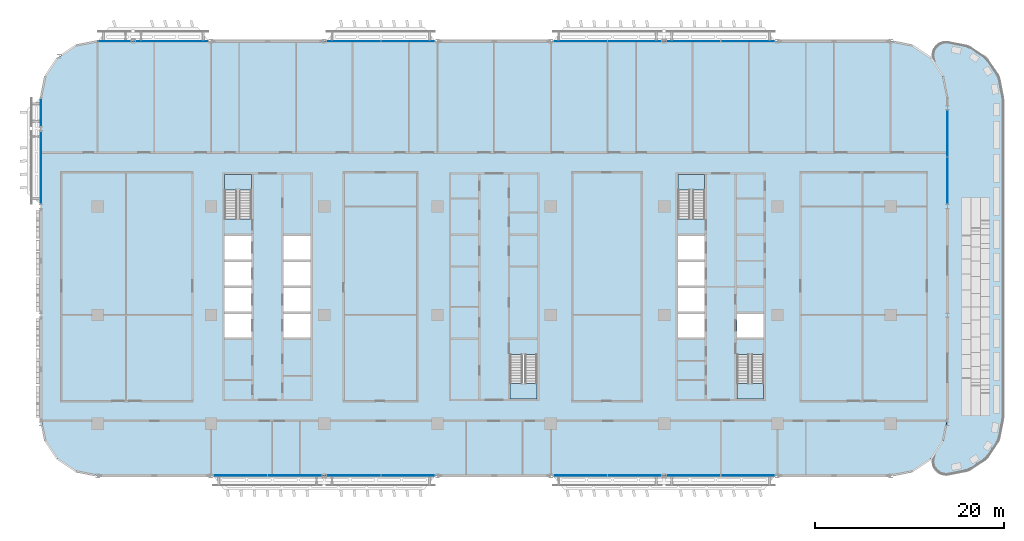
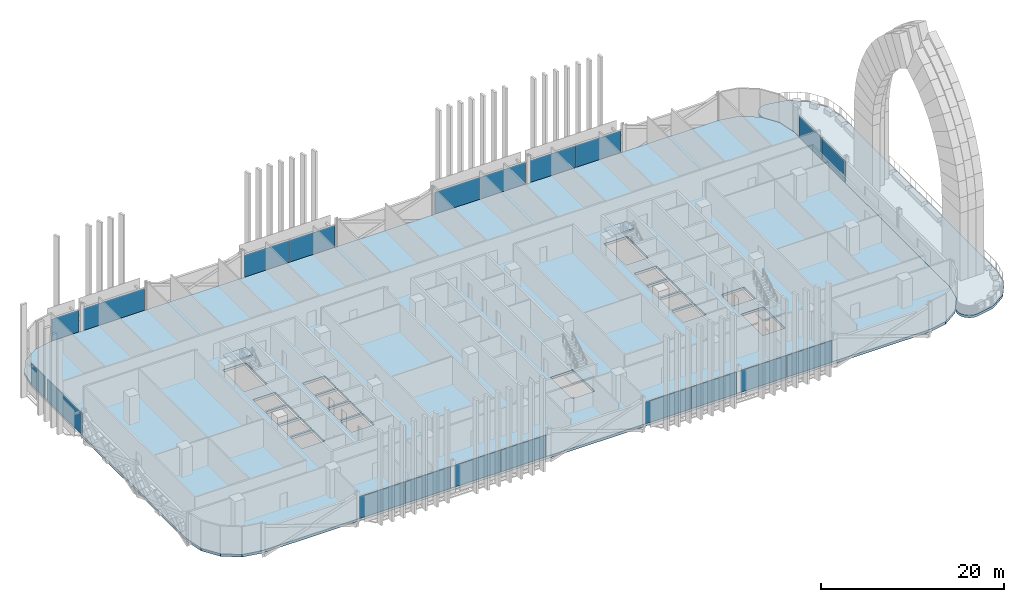
# One storey, part 9 of 33: 20 plates, 6 slabs, 16 elements without a shape of their own.
"""IFC4 building model written with IfcOpenShell, lengths in metres."""

from ifc_helpers import new_model, si_unit, direction, frame, origin, origin_2d, place, context, subcontext, project, spatial, polyline, rectangle, outline, extrude, material, layer, layer_set, type_object, element, aggregate, save


model = new_model("IFC4")

# Units and contexts
model_context = context("Model", 3, precision=1e-05, world=origin(), true_north=direction((0.0, 1.0)))
body_context = subcontext(model_context, "Body", "Model", "MODEL_VIEW")
ifc_project = project(units=[si_unit("LENGTHUNIT", "METRE"), si_unit("AREAUNIT", "SQUARE_METRE"), si_unit("VOLUMEUNIT", "CUBIC_METRE"), si_unit("PLANEANGLEUNIT", "RADIAN"), si_unit("MASSUNIT", "GRAM", prefix="KILO")], contexts=[model_context])

# Site, building, storey
site_placement = place(None, origin())
site = spatial("IfcSite", under=ifc_project, at=site_placement, CompositionType="ELEMENT")
building_placement = place(site_placement, origin())
building = spatial("IfcBuilding", under=site, at=building_placement, Name="Mahtab Terrace Research Tower", CompositionType="ELEMENT")
storey_placement = place(building_placement, frame((0.0, 0.0, 122.0)))
storey = spatial("IfcBuildingStorey", under=building, at=storey_placement, Name="L28", CompositionType="ELEMENT", Elevation=122.0)

# Stair, slab
ifc_material_1 = material(Name="Exit stair half-turn")
stair_type = type_object("IfcStairType", Name="Exit stair half-turn", PredefinedType="HALF_TURN_STAIR", material=ifc_material_1)
stair_1_placement = place(storey_placement, origin())
stair_1 = element("IfcStair", 1, at=stair_1_placement, inside=storey, type_object=stair_type, Name="L28 Protected exit stair ST1", PredefinedType="HALF_TURN_STAIR")
ifc_material_2 = material(Name="Concrete C40/50", Category="concrete")
ifc_layer_1 = layer(ifc_material_2, 0.199951171875)
ifc_layer_set_1 = layer_set([ifc_layer_1], Name="Exit stair landing 200")
slab_type_1 = type_object("IfcSlabType", Name="Exit stair landing 200", PredefinedType="LANDING", material=ifc_layer_set_1)
slab_1_placement = place(storey_placement, frame((0.0, 0.0, 1.85009765625)))
slab_1 = element("IfcSlab", 2, at=slab_1_placement, type_object=slab_type_1, Name="ST1 landing 1", PredefinedType="LANDING", context=body_context, shape_type="SweptSolid", body=[
    extrude(outline(polyline([(-25.699951171875, 13.2548828125), (-25.699951171875, 14.875), (-28.550048828125, 14.875), (-28.550048828125, 13.2548828125), (-25.699951171875, 13.2548828125)])), origin(), (0.0, 0.0, 1.0), 0.199951171875),
])
aggregate(stair_1, [slab_1])

stair_2_placement = place(storey_placement, origin())
stair_2 = element("IfcStair", 3, at=stair_2_placement, inside=storey, type_object=stair_type, Name="L28 Protected exit stair ST2", PredefinedType="HALF_TURN_STAIR")
slab_2_placement = place(storey_placement, frame((0.0, 0.0, 1.85009765625)))
slab_2 = element("IfcSlab", 4, at=slab_2_placement, type_object=slab_type_1, Name="ST2 landing 1", PredefinedType="LANDING", context=body_context, shape_type="SweptSolid", body=[
    extrude(outline(polyline([(1.699951171875, -7.2548828125), (1.699951171875, -8.875), (4.550048828125, -8.875), (4.550048828125, -7.2548828125), (1.699951171875, -7.2548828125)])), origin(), (0.0, 0.0, 1.0), 0.199951171875),
])
aggregate(stair_2, [slab_2])

stair_3_placement = place(storey_placement, origin())
stair_3 = element("IfcStair", 5, at=stair_3_placement, inside=storey, type_object=stair_type, Name="L28 Protected exit stair ST3", PredefinedType="HALF_TURN_STAIR")
slab_3_placement = place(storey_placement, frame((0.0, 0.0, 1.85009765625)))
slab_3 = element("IfcSlab", 6, at=slab_3_placement, type_object=slab_type_1, Name="ST3 landing 1", PredefinedType="LANDING", context=body_context, shape_type="SweptSolid", body=[
    extrude(outline(polyline([(22.300048828125, 13.2548828125), (22.300048828125, 14.875), (19.449951171875, 14.875), (19.449951171875, 13.2548828125), (22.300048828125, 13.2548828125)])), origin(), (0.0, 0.0, 1.0), 0.199951171875),
])
aggregate(stair_3, [slab_3])

stair_4_placement = place(storey_placement, origin())
stair_4 = element("IfcStair", 7, at=stair_4_placement, inside=storey, type_object=stair_type, Name="L28 Protected exit stair ST4", PredefinedType="HALF_TURN_STAIR")
slab_4_placement = place(storey_placement, frame((0.0, 0.0, 1.85009765625)))
slab_4 = element("IfcSlab", 8, at=slab_4_placement, type_object=slab_type_1, Name="ST4 landing 1", PredefinedType="LANDING", context=body_context, shape_type="SweptSolid", body=[
    extrude(outline(polyline([(25.699951171875, -7.2548828125), (25.699951171875, -8.875), (28.550048828125, -8.875), (28.550048828125, -7.2548828125), (25.699951171875, -7.2548828125)])), origin(), (0.0, 0.0, 1.0), 0.199951171875),
])
aggregate(stair_4, [slab_4])

# Slabs
ifc_layer_2 = layer(ifc_material_2, 0.340087890625)
ifc_layer_set_2 = layer_set([ifc_layer_2], Name="PT flat slab 340")
slab_type_2 = type_object("IfcSlabType", Name="PT flat slab 340", PredefinedType="FLOOR", material=ifc_layer_set_2)
slab_5_placement = place(storey_placement, frame((0.0, 0.0, -0.340087890625)))
element("IfcSlab", 9, at=slab_5_placement, inside=storey, type_object=slab_type_2, Name="Floor slab L28", PredefinedType="FLOOR", context=body_context, shape_type="SweptSolid", body=[
    extrude(outline(polyline([(47.54296875, 25.2958984375), (46.242919921875, 27.242919921875), (44.2958984375, 28.54296875), (42.0, 29.0), (-42.0, 29.0), (-44.2958984375, 28.54296875), (-46.242919921875, 27.242919921875), (-47.54296875, 25.2958984375), (-48.0, 23.0), (-48.0, -11.0), (-47.54296875, -13.2958984375), (-46.242919921875, -15.242919921875), (-44.2958984375, -16.54296875), (-42.0, -17.0), (42.0, -17.0), (44.2958984375, -16.54296875), (46.242919921875, -15.242919921875), (47.54296875, -13.2958984375), (48.0, -11.0), (48.0, 23.0), (47.54296875, 25.2958984375)]), holes=[polyline([(-28.550048828125, -2.375), (-28.550048828125, 0.125), (-25.699951171875, 0.125), (-25.699951171875, -2.375), (-28.550048828125, -2.375)]), polyline([(-22.300048828125, -2.375), (-22.300048828125, 0.125), (-19.449951171875, 0.125), (-19.449951171875, -2.375), (-22.300048828125, -2.375)]), polyline([(-28.550048828125, 0.375), (-28.550048828125, 2.875), (-25.699951171875, 2.875), (-25.699951171875, 0.375), (-28.550048828125, 0.375)]), polyline([(-22.300048828125, 0.375), (-22.300048828125, 2.875), (-19.449951171875, 2.875), (-19.449951171875, 0.375), (-22.300048828125, 0.375)]), polyline([(-28.550048828125, 3.125), (-28.550048828125, 5.625), (-25.699951171875, 5.625), (-25.699951171875, 3.125), (-28.550048828125, 3.125)]), polyline([(-22.300048828125, 3.125), (-22.300048828125, 5.625), (-19.449951171875, 5.625), (-19.449951171875, 3.125), (-22.300048828125, 3.125)]), polyline([(-28.550048828125, 5.875), (-28.550048828125, 8.375), (-25.699951171875, 8.375), (-25.699951171875, 5.875), (-28.550048828125, 5.875)]), polyline([(-22.300048828125, 5.875), (-22.300048828125, 8.375), (-19.449951171875, 8.375), (-19.449951171875, 5.875), (-22.300048828125, 5.875)]), polyline([(-28.550048828125, 10.177001953125), (-28.550048828125, 14.875), (-25.699951171875, 14.875), (-25.699951171875, 10.177001953125), (-28.550048828125, 10.177001953125)]), polyline([(1.699951171875, -8.875), (1.699951171875, -4.177001953125), (4.550048828125, -4.177001953125), (4.550048828125, -8.875), (1.699951171875, -8.875)]), polyline([(25.699951171875, -8.875), (25.699951171875, -4.177001953125), (28.550048828125, -4.177001953125), (28.550048828125, -8.875), (25.699951171875, -8.875)]), polyline([(19.449951171875, -2.375), (19.449951171875, 0.125), (22.300048828125, 0.125), (22.300048828125, -2.375), (19.449951171875, -2.375)]), polyline([(25.699951171875, -2.375), (25.699951171875, 0.125), (28.550048828125, 0.125), (28.550048828125, -2.375), (25.699951171875, -2.375)]), polyline([(19.449951171875, 0.375), (19.449951171875, 2.875), (22.300048828125, 2.875), (22.300048828125, 0.375), (19.449951171875, 0.375)]), polyline([(19.449951171875, 3.125), (19.449951171875, 5.625), (22.300048828125, 5.625), (22.300048828125, 3.125), (19.449951171875, 3.125)]), polyline([(19.449951171875, 8.375), (22.300048828125, 8.375), (22.300048828125, 5.875), (19.449951171875, 5.875), (19.449951171875, 8.375)]), polyline([(19.449951171875, 14.875), (22.300048828125, 14.875), (22.300048828125, 10.177001953125), (19.449951171875, 10.177001953125), (19.449951171875, 14.875)])]), origin(), (0.0, 0.0, 1.0), 0.340087890625),
])
ifc_layer_3 = layer(ifc_material_2, 0.340087890625)
ifc_layer_set_3 = layer_set([ifc_layer_3], Name="PT terrace slab 340")
slab_type_3 = type_object("IfcSlabType", Name="PT terrace slab 340", PredefinedType="FLOOR", material=ifc_layer_set_3)
slab_6_placement = place(storey_placement, frame((0.0, 0.0, -0.340087890625)))
element("IfcSlab", 10, at=slab_6_placement, inside=storey, type_object=slab_type_3, Name="Terrace slab L28", PredefinedType="FLOOR", context=body_context, shape_type="SweptSolid", body=[
    extrude(outline(polyline([(47.52294921875, 25.326904296875), (47.5419921875, 25.294921875), (47.550048828125, 25.260009765625), (47.992919921875, 23.035888671875), (47.998046875, 23.0), (48.0, 22.962890625), (48.0, -10.962890625), (47.998046875, -11.0), (47.992919921875, -11.035888671875), (47.550048828125, -13.260009765625), (47.5419921875, -13.294921875), (47.52294921875, -13.326904296875), (46.631103515625, -14.660888671875), (46.554931640625, -14.7880859375), (46.491943359375, -14.9208984375), (46.443115234375, -15.05908203125), (46.406982421875, -15.201904296875), (46.385009765625, -15.347900390625), (46.3779296875, -15.4951171875), (46.385009765625, -15.64208984375), (46.406982421875, -15.787109375), (46.443115234375, -15.929931640625), (46.491943359375, -16.069091796875), (46.554931640625, -16.201904296875), (46.631103515625, -16.327880859375), (46.718994140625, -16.446044921875), (46.81689453125, -16.555908203125), (46.927001953125, -16.654052734375), (47.044921875, -16.741943359375), (47.1708984375, -16.818115234375), (47.303955078125, -16.881103515625), (47.443115234375, -16.929931640625), (47.5859375, -16.966064453125), (47.73095703125, -16.988037109375), (47.8779296875, -16.9951171875), (48.02490234375, -16.988037109375), (48.1708984375, -16.966064453125), (50.0029296875, -16.60107421875), (50.14599609375, -16.56591796875), (50.284912109375, -16.51611328125), (50.41796875, -16.452880859375), (50.5439453125, -16.3779296875), (51.9951171875, -15.407958984375), (52.113037109375, -15.321044921875), (52.221923828125, -15.221923828125), (52.321044921875, -15.113037109375), (52.407958984375, -14.9951171875), (53.3779296875, -13.5439453125), (53.452880859375, -13.41796875), (53.51611328125, -13.284912109375), (53.56591796875, -13.14599609375), (53.60107421875, -13.0029296875), (53.970947265625, -11.14501953125), (53.992919921875, -10.9990234375), (54.0, -10.85205078125), (54.0, 22.85205078125), (53.992919921875, 22.9990234375), (53.970947265625, 23.14501953125), (53.60107421875, 25.0029296875), (53.56591796875, 25.14599609375), (53.51611328125, 25.284912109375), (53.452880859375, 25.41796875), (53.3779296875, 25.5439453125), (52.407958984375, 26.9951171875), (52.321044921875, 27.113037109375), (52.221923828125, 27.221923828125), (52.113037109375, 27.321044921875), (51.9951171875, 27.407958984375), (50.5439453125, 28.3779296875), (50.41796875, 28.452880859375), (50.284912109375, 28.51611328125), (50.14599609375, 28.56591796875), (50.0029296875, 28.60107421875), (48.1708984375, 28.966064453125), (48.02490234375, 28.988037109375), (47.8779296875, 28.9951171875), (47.73095703125, 28.988037109375), (47.5859375, 28.966064453125), (47.443115234375, 28.929931640625), (47.303955078125, 28.881103515625), (47.1708984375, 28.818115234375), (47.044921875, 28.741943359375), (46.927001953125, 28.654052734375), (46.81689453125, 28.555908203125), (46.718994140625, 28.446044921875), (46.631103515625, 28.327880859375), (46.554931640625, 28.201904296875), (46.491943359375, 28.069091796875), (46.443115234375, 27.929931640625), (46.406982421875, 27.787109375), (46.385009765625, 27.64208984375), (46.3779296875, 27.4951171875), (46.385009765625, 27.347900390625), (46.406982421875, 27.201904296875), (46.443115234375, 27.05908203125), (46.491943359375, 26.9208984375), (46.554931640625, 26.7880859375), (46.631103515625, 26.660888671875), (47.52294921875, 25.326904296875)])), origin(), (0.0, 0.0, 1.0), 0.340087890625),
])

# Curtain wall, plates
ifc_material_3 = material(Name="Sky lounge full-height curtain wall")
curtain_wall_type = type_object("IfcCurtainWallType", Name="Sky lounge full-height curtain wall", PredefinedType="NOTDEFINED", material=ifc_material_3)
curtain_wall_1_placement = place(storey_placement, origin())
curtain_wall_1 = element("IfcCurtainWall", 11, at=curtain_wall_1_placement, inside=storey, type_object=curtain_wall_type, Name="EN.L28.3.4", PredefinedType="NOTDEFINED")
ifc_material_4 = material(Name="Dark glazing", Category="glass")
ifc_layer_4 = layer(ifc_material_4, 0.0400390625)
ifc_layer_set_4 = layer_set([ifc_layer_4], Name="Sky lounge full-height curtain wall glazing panel")
plate_type = type_object("IfcPlateType", Name="Sky lounge full-height curtain wall glazing panel", PredefinedType="CURTAIN_PANEL", material=ifc_layer_set_4)
plate_1_placement = place(storey_placement, frame((26.87353515625, 29.0, 0.0), z_axis=(0.0, 0.0, 1.0), x_axis=(-1.0, 0.0, 0.0)))
plate_1 = element("IfcPlate", 12, at=plate_1_placement, type_object=plate_type, Name="CWS-4 panel 1", PredefinedType="CURTAIN_PANEL", context=body_context, shape_type="SweptSolid", body=[
    extrude(rectangle(XDim=5.677001953125, YDim=0.0400390625, at=origin_2d()), origin(), (0.0, 0.0, 1.0), 2.883056640625),
])
plate_2_placement = place(storey_placement, frame((21.12646484375, 29.0, 0.0), z_axis=(0.0, 0.0, 1.0), x_axis=(-1.0, 0.0, 0.0)))
plate_2 = element("IfcPlate", 13, at=plate_2_placement, type_object=plate_type, Name="CWS-4 panel 2", PredefinedType="CURTAIN_PANEL", context=body_context, shape_type="SweptSolid", body=[
    extrude(rectangle(XDim=5.677001953125, YDim=0.0400390625, at=origin_2d()), origin(), (0.0, 0.0, 1.0), 2.883056640625),
])
aggregate(curtain_wall_1, [plate_1, plate_2])

curtain_wall_2_placement = place(storey_placement, origin())
curtain_wall_2 = element("IfcCurtainWall", 14, at=curtain_wall_2_placement, inside=storey, type_object=curtain_wall_type, Name="EN.L28.3.5", PredefinedType="NOTDEFINED")
plate_3_placement = place(storey_placement, frame((14.87353515625, 29.0, 0.0), z_axis=(0.0, 0.0, 1.0), x_axis=(-1.0, 0.0, 0.0)))
plate_3 = element("IfcPlate", 15, at=plate_3_placement, type_object=plate_type, Name="CWS-4 panel 1", PredefinedType="CURTAIN_PANEL", context=body_context, shape_type="SweptSolid", body=[
    extrude(rectangle(XDim=5.677001953125, YDim=0.0400390625, at=origin_2d()), origin(), (0.0, 0.0, 1.0), 2.883056640625),
])
plate_4_placement = place(storey_placement, frame((9.12646484375, 29.0, 0.0), z_axis=(0.0, 0.0, 1.0), x_axis=(-1.0, 0.0, 0.0)))
plate_4 = element("IfcPlate", 16, at=plate_4_placement, type_object=plate_type, Name="CWS-4 panel 2", PredefinedType="CURTAIN_PANEL", context=body_context, shape_type="SweptSolid", body=[
    extrude(rectangle(XDim=5.677001953125, YDim=0.0400390625, at=origin_2d()), origin(), (0.0, 0.0, 1.0), 2.883056640625),
])
aggregate(curtain_wall_2, [plate_3, plate_4])

curtain_wall_3_placement = place(storey_placement, origin())
curtain_wall_3 = element("IfcCurtainWall", 17, at=curtain_wall_3_placement, inside=storey, type_object=curtain_wall_type, Name="EN.L28.3.7", PredefinedType="NOTDEFINED")
plate_5_placement = place(storey_placement, frame((-9.12646484375, 29.0, 0.0), z_axis=(0.0, 0.0, 1.0), x_axis=(-1.0, 0.0, 0.0)))
plate_5 = element("IfcPlate", 18, at=plate_5_placement, type_object=plate_type, Name="CWS-4 panel 1", PredefinedType="CURTAIN_PANEL", context=body_context, shape_type="SweptSolid", body=[
    extrude(rectangle(XDim=5.677001953125, YDim=0.0400390625, at=origin_2d()), origin(), (0.0, 0.0, 1.0), 2.883056640625),
])
plate_6_placement = place(storey_placement, frame((-14.87353515625, 29.0, 0.0), z_axis=(0.0, 0.0, 1.0), x_axis=(-1.0, 0.0, 0.0)))
plate_6 = element("IfcPlate", 19, at=plate_6_placement, type_object=plate_type, Name="CWS-4 panel 2", PredefinedType="CURTAIN_PANEL", context=body_context, shape_type="SweptSolid", body=[
    extrude(rectangle(XDim=5.677001953125, YDim=0.0400390625, at=origin_2d()), origin(), (0.0, 0.0, 1.0), 2.883056640625),
])
aggregate(curtain_wall_3, [plate_5, plate_6])

# Curtain wall, plate
curtain_wall_4_placement = place(storey_placement, origin())
curtain_wall_4 = element("IfcCurtainWall", 20, at=curtain_wall_4_placement, inside=storey, type_object=curtain_wall_type, Name="EN.L28.3.9", PredefinedType="NOTDEFINED")
plate_7_placement = place(storey_placement, frame((-34.115478515625, 29.0, 0.0), z_axis=(0.0, 0.0, 1.0), x_axis=(-1.0, 0.0, 0.0)))
plate_7 = element("IfcPlate", 21, at=plate_7_placement, type_object=plate_type, Name="CWS-4 panel 1", PredefinedType="CURTAIN_PANEL", context=body_context, shape_type="SweptSolid", body=[
    extrude(rectangle(XDim=7.655029296875, YDim=0.0400390625, at=origin_2d()), origin(), (0.0, 0.0, 1.0), 2.883056640625),
])
aggregate(curtain_wall_4, [plate_7])

curtain_wall_5_placement = place(storey_placement, origin())
curtain_wall_5 = element("IfcCurtainWall", 22, at=curtain_wall_5_placement, inside=storey, type_object=curtain_wall_type, Name="EN.L28.3.10", PredefinedType="NOTDEFINED")
plate_8_placement = place(storey_placement, frame((-40.224609375, 29.0, 0.0), z_axis=(0.0, 0.0, 1.0), x_axis=(-1.0, 0.0, 0.0)))
plate_8 = element("IfcPlate", 23, at=plate_8_placement, type_object=plate_type, Name="CWS-4 panel 1", PredefinedType="CURTAIN_PANEL", context=body_context, shape_type="SweptSolid", body=[
    extrude(rectangle(XDim=3.410888671875, YDim=0.0400390625, at=origin_2d()), origin(), (0.0, 0.0, 1.0), 2.883056640625),
])
aggregate(curtain_wall_5, [plate_8])

curtain_wall_6_placement = place(storey_placement, origin())
curtain_wall_6 = element("IfcCurtainWall", 24, at=curtain_wall_6_placement, inside=storey, type_object=curtain_wall_type, Name="EN.L28.8.15", PredefinedType="NOTDEFINED")
plate_9_placement = place(storey_placement, frame((-48.0, 21.474609375, 0.0), z_axis=(0.0, 0.0, 1.0), x_axis=(0.0, -1.0, 0.0)))
plate_9 = element("IfcPlate", 25, at=plate_9_placement, type_object=plate_type, Name="CWS-4 panel 1", PredefinedType="CURTAIN_PANEL", context=body_context, shape_type="SweptSolid", body=[
    extrude(rectangle(XDim=2.910888671875, YDim=0.0400390625, at=origin_2d()), origin(), (0.0, 0.0, 1.0), 2.883056640625),
])
aggregate(curtain_wall_6, [plate_9])

curtain_wall_7_placement = place(storey_placement, origin())
curtain_wall_7 = element("IfcCurtainWall", 26, at=curtain_wall_7_placement, inside=storey, type_object=curtain_wall_type, Name="EN.L28.8.16", PredefinedType="NOTDEFINED")
plate_10_placement = place(storey_placement, frame((-48.0, 15.615478515625, 0.0), z_axis=(0.0, 0.0, 1.0), x_axis=(0.0, -1.0, 0.0)))
plate_10 = element("IfcPlate", 27, at=plate_10_placement, type_object=plate_type, Name="CWS-4 panel 1", PredefinedType="CURTAIN_PANEL", context=body_context, shape_type="SweptSolid", body=[
    extrude(rectangle(XDim=7.655029296875, YDim=0.0400390625, at=origin_2d()), origin(), (0.0, 0.0, 1.0), 2.883056640625),
])
aggregate(curtain_wall_7, [plate_10])

# Curtain wall, plates
curtain_wall_8_placement = place(storey_placement, origin())
curtain_wall_8 = element("IfcCurtainWall", 28, at=curtain_wall_8_placement, inside=storey, type_object=curtain_wall_type, Name="EN.L28.13.25", PredefinedType="NOTDEFINED")
plate_11_placement = place(storey_placement, frame((-26.87353515625, -17.0, 0.0), z_axis=(0.0, 0.0, 1.0), x_axis=(1.0, 0.0, 0.0)))
plate_11 = element("IfcPlate", 29, at=plate_11_placement, type_object=plate_type, Name="CWS-4 panel 1", PredefinedType="CURTAIN_PANEL", context=body_context, shape_type="SweptSolid", body=[
    extrude(rectangle(XDim=5.677001953125, YDim=0.0400390625, at=origin_2d()), origin(), (0.0, 0.0, 1.0), 2.883056640625),
])
plate_12_placement = place(storey_placement, frame((-21.12646484375, -17.0, 0.0), z_axis=(0.0, 0.0, 1.0), x_axis=(1.0, 0.0, 0.0)))
plate_12 = element("IfcPlate", 30, at=plate_12_placement, type_object=plate_type, Name="CWS-4 panel 2", PredefinedType="CURTAIN_PANEL", context=body_context, shape_type="SweptSolid", body=[
    extrude(rectangle(XDim=5.677001953125, YDim=0.0400390625, at=origin_2d()), origin(), (0.0, 0.0, 1.0), 2.883056640625),
])
aggregate(curtain_wall_8, [plate_11, plate_12])

curtain_wall_9_placement = place(storey_placement, origin())
curtain_wall_9 = element("IfcCurtainWall", 31, at=curtain_wall_9_placement, inside=storey, type_object=curtain_wall_type, Name="EN.L28.13.26", PredefinedType="NOTDEFINED")
plate_13_placement = place(storey_placement, frame((-14.87353515625, -17.0, 0.0), z_axis=(0.0, 0.0, 1.0), x_axis=(1.0, 0.0, 0.0)))
plate_13 = element("IfcPlate", 32, at=plate_13_placement, type_object=plate_type, Name="CWS-4 panel 1", PredefinedType="CURTAIN_PANEL", context=body_context, shape_type="SweptSolid", body=[
    extrude(rectangle(XDim=5.677001953125, YDim=0.0400390625, at=origin_2d()), origin(), (0.0, 0.0, 1.0), 2.883056640625),
])
plate_14_placement = place(storey_placement, frame((-9.12646484375, -17.0, 0.0), z_axis=(0.0, 0.0, 1.0), x_axis=(1.0, 0.0, 0.0)))
plate_14 = element("IfcPlate", 33, at=plate_14_placement, type_object=plate_type, Name="CWS-4 panel 2", PredefinedType="CURTAIN_PANEL", context=body_context, shape_type="SweptSolid", body=[
    extrude(rectangle(XDim=5.677001953125, YDim=0.0400390625, at=origin_2d()), origin(), (0.0, 0.0, 1.0), 2.883056640625),
])
aggregate(curtain_wall_9, [plate_13, plate_14])

curtain_wall_10_placement = place(storey_placement, origin())
curtain_wall_10 = element("IfcCurtainWall", 34, at=curtain_wall_10_placement, inside=storey, type_object=curtain_wall_type, Name="EN.L28.13.28", PredefinedType="NOTDEFINED")
plate_15_placement = place(storey_placement, frame((9.12646484375, -17.0, 0.0), z_axis=(0.0, 0.0, 1.0), x_axis=(1.0, 0.0, 0.0)))
plate_15 = element("IfcPlate", 35, at=plate_15_placement, type_object=plate_type, Name="CWS-4 panel 1", PredefinedType="CURTAIN_PANEL", context=body_context, shape_type="SweptSolid", body=[
    extrude(rectangle(XDim=5.677001953125, YDim=0.0400390625, at=origin_2d()), origin(), (0.0, 0.0, 1.0), 2.883056640625),
])
plate_16_placement = place(storey_placement, frame((14.87353515625, -17.0, 0.0), z_axis=(0.0, 0.0, 1.0), x_axis=(1.0, 0.0, 0.0)))
plate_16 = element("IfcPlate", 36, at=plate_16_placement, type_object=plate_type, Name="CWS-4 panel 2", PredefinedType="CURTAIN_PANEL", context=body_context, shape_type="SweptSolid", body=[
    extrude(rectangle(XDim=5.677001953125, YDim=0.0400390625, at=origin_2d()), origin(), (0.0, 0.0, 1.0), 2.883056640625),
])
aggregate(curtain_wall_10, [plate_15, plate_16])

curtain_wall_11_placement = place(storey_placement, origin())
curtain_wall_11 = element("IfcCurtainWall", 37, at=curtain_wall_11_placement, inside=storey, type_object=curtain_wall_type, Name="EN.L28.13.29", PredefinedType="NOTDEFINED")
plate_17_placement = place(storey_placement, frame((21.12646484375, -17.0, 0.0), z_axis=(0.0, 0.0, 1.0), x_axis=(1.0, 0.0, 0.0)))
plate_17 = element("IfcPlate", 38, at=plate_17_placement, type_object=plate_type, Name="CWS-4 panel 1", PredefinedType="CURTAIN_PANEL", context=body_context, shape_type="SweptSolid", body=[
    extrude(rectangle(XDim=5.677001953125, YDim=0.0400390625, at=origin_2d()), origin(), (0.0, 0.0, 1.0), 2.883056640625),
])
plate_18_placement = place(storey_placement, frame((26.87353515625, -17.0, 0.0), z_axis=(0.0, 0.0, 1.0), x_axis=(1.0, 0.0, 0.0)))
plate_18 = element("IfcPlate", 39, at=plate_18_placement, type_object=plate_type, Name="CWS-4 panel 2", PredefinedType="CURTAIN_PANEL", context=body_context, shape_type="SweptSolid", body=[
    extrude(rectangle(XDim=5.677001953125, YDim=0.0400390625, at=origin_2d()), origin(), (0.0, 0.0, 1.0), 2.883056640625),
])
aggregate(curtain_wall_11, [plate_17, plate_18])

curtain_wall_12_placement = place(storey_placement, origin())
curtain_wall_12 = element("IfcCurtainWall", 40, at=curtain_wall_12_placement, inside=storey, type_object=curtain_wall_type, Name="EN.L28.18.38", PredefinedType="NOTDEFINED")
plate_19_placement = place(storey_placement, frame((48.0, 14.241943359375, 0.0), z_axis=(0.0, 0.0, 1.0), x_axis=(0.0, 1.0, 0.0)))
plate_19 = element("IfcPlate", 41, at=plate_19_placement, type_object=plate_type, Name="CWS-4 panel 1", PredefinedType="CURTAIN_PANEL", context=body_context, shape_type="SweptSolid", body=[
    extrude(rectangle(XDim=4.907958984375, YDim=0.0400390625, at=origin_2d()), origin(), (0.0, 0.0, 1.0), 2.883056640625),
])
plate_20_placement = place(storey_placement, frame((48.0, 19.219970703125, 0.0), z_axis=(0.0, 0.0, 1.0), x_axis=(0.0, 1.0, 0.0)))
plate_20 = element("IfcPlate", 42, at=plate_20_placement, type_object=plate_type, Name="CWS-4 panel 2", PredefinedType="CURTAIN_PANEL", context=body_context, shape_type="SweptSolid", body=[
    extrude(rectangle(XDim=4.907958984375, YDim=0.0400390625, at=origin_2d()), origin(), (0.0, 0.0, 1.0), 2.883056640625),
])
aggregate(curtain_wall_12, [plate_19, plate_20])

save(model, "model.ifc")
